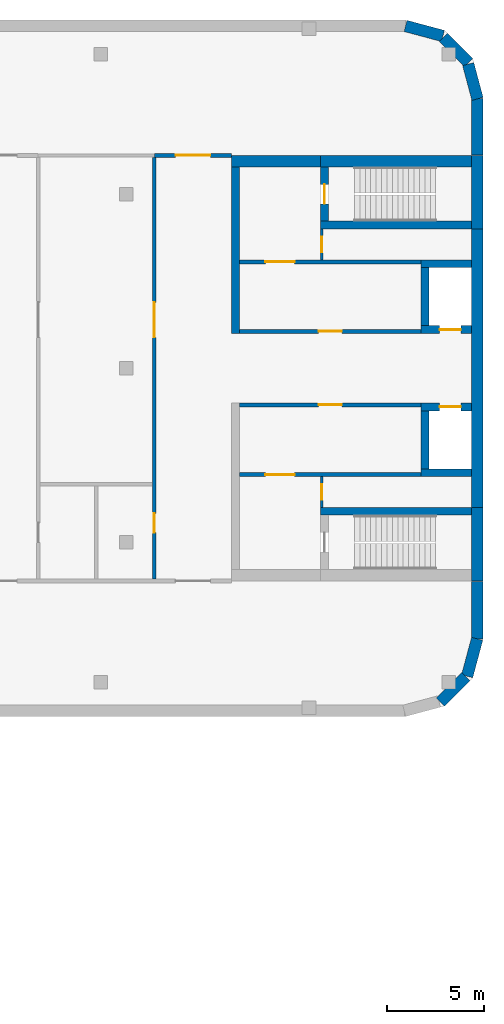
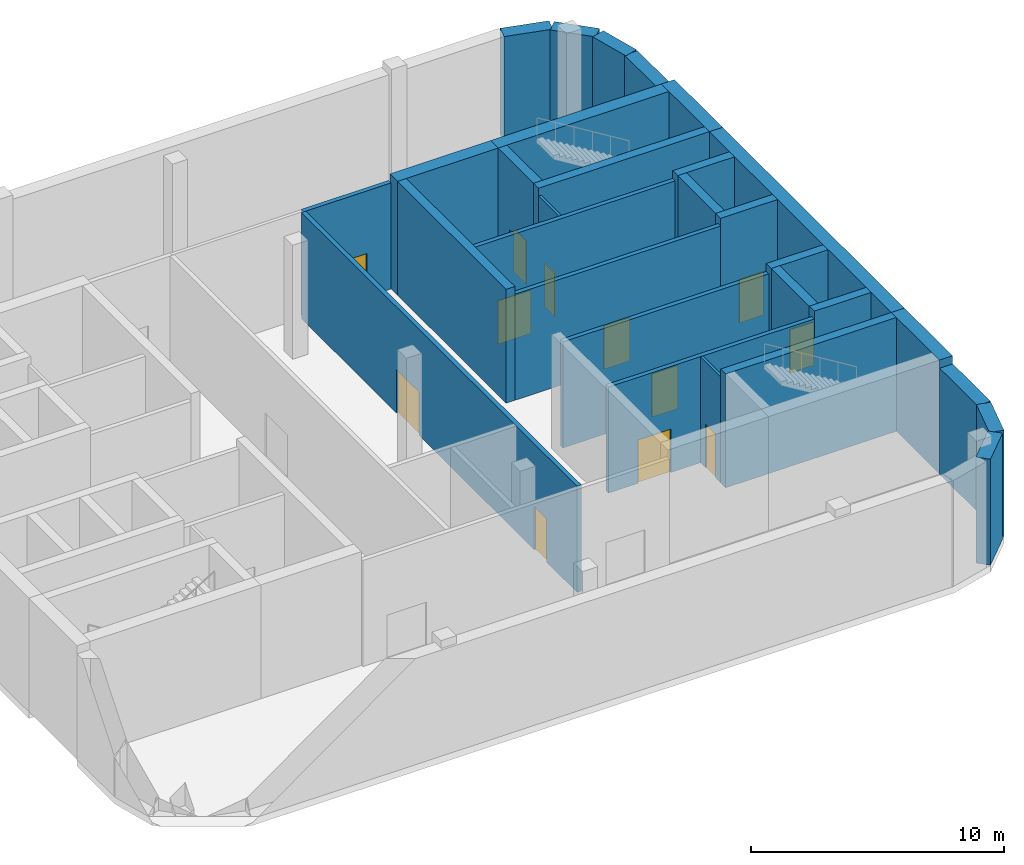
# One storey, part 14 of 19: 30 walls, 12 doors, 12 openings.
"""IFC4 building model written with IfcOpenShell, lengths in metres."""

from ifc_helpers import new_model, si_unit, direction, frame, frame_2d, origin, place, context, subcontext, project, spatial, rectangle, extrude, material, layer, layer_set, type_object, element, fill, save


model = new_model("IFC4")

# Units and contexts
model_context = context("Model", 3, precision=1e-05, world=origin(), true_north=direction((0.0, 1.0)))
body_context = subcontext(model_context, "Body", "Model", "MODEL_VIEW")
ifc_project = project(units=[si_unit("LENGTHUNIT", "METRE"), si_unit("AREAUNIT", "SQUARE_METRE"), si_unit("VOLUMEUNIT", "CUBIC_METRE"), si_unit("PLANEANGLEUNIT", "RADIAN"), si_unit("MASSUNIT", "GRAM", prefix="KILO")], contexts=[model_context])

# Site, building, storey
site_placement = place(None, origin())
site = spatial("IfcSite", under=ifc_project, at=site_placement, CompositionType="ELEMENT")
building_placement = place(site_placement, origin())
building = spatial("IfcBuilding", under=site, at=building_placement, Name="Skarvind Civic Tower", CompositionType="ELEMENT")
storey_placement = place(building_placement, frame((0.0, 0.0, 75.5)))
storey = spatial("IfcBuildingStorey", under=building, at=storey_placement, Name="L17", CompositionType="ELEMENT", Elevation=75.5)

# Wall, opening, door
ifc_material_1 = material(Name="Fire-rated masonry partition", Category="masonry")
ifc_layer_1 = layer(ifc_material_1, 0.199951171875)
ifc_layer_set_1 = layer_set([ifc_layer_1], Name="Core enclosure wall 200")
wall_type_1 = type_object("IfcWallType", Name="Core enclosure wall 200", PredefinedType="PARTITIONING", material=ifc_layer_set_1)
wall_1_placement = place(storey_placement, frame((163.800048828125, 126.10009765625, 0.0), z_axis=(0.0, 0.0, 1.0), x_axis=(-1.0, 0.0, 0.0)))
wall_1 = element("IfcWall", 1, at=wall_1_placement, inside=storey, type_object=wall_type_1, Name="Core wall CB", PredefinedType="PARTITIONING", context=body_context, shape_type="SweptSolid", body=[
    extrude(rectangle(XDim=9.400146484375, YDim=0.199951171875, at=frame_2d((4.7001953125, 0.0))), origin(), (0.0, 0.0, 1.0), 5.125),
])
opening_1_placement = place(wall_1_placement, frame((4.10009765625, 0.0, 0.0)))
opening_1 = element("IfcOpeningElement", 2, at=opening_1_placement, cuts=wall_1, Name="Opening D-L17-CB-03", PredefinedType="OPENING", context=body_context, shape_type="SweptSolid", body=[
    extrude(rectangle(XDim=1.199951171875, YDim=2.10009765625, at=frame_2d((0.60009765625, 1.050048828125))), frame((0.0, 0.10986328125, 0.0), z_axis=(0.0, -1.0, 0.0), x_axis=(1.0, 0.0, 0.0)), (0.0, 0.0, 1.0), 0.219970703125),
])
ifc_material_2 = material(Name="Fire-rated steel door", Category="steel")
door_type_1 = type_object("IfcDoorType", Name="Core lobby door 1200", OperationType="NOTDEFINED", PredefinedType="DOOR", material=ifc_material_2)
door_1_placement = place(opening_1_placement, origin())
door_1 = element("IfcDoor", 3, at=door_1_placement, inside=storey, type_object=door_type_1, Name="Fire door", OperationType="DOUBLE_DOOR_SINGLE_SWING", OverallHeight=2.10009765625, OverallWidth=1.199951171875, PredefinedType="DOOR", context=body_context, shape_type="SweptSolid", body=[
    extrude(rectangle(XDim=1.199951171875, YDim=2.10009765625, at=frame_2d((0.60009765625, 1.050048828125))), frame((0.0, 0.02490234375, 0.0), z_axis=(0.0, -1.0, 0.0), x_axis=(1.0, 0.0, 0.0)), (0.0, 0.0, 1.0), 0.050048828125),
])
fill(opening_1, door_1)

wall_2_placement = place(storey_placement, frame((163.800048828125, 122.5, 0.0), z_axis=(0.0, 0.0, 1.0), x_axis=(-1.0, 0.0, 0.0)))
wall_2 = element("IfcWall", 4, at=wall_2_placement, inside=storey, type_object=wall_type_1, Name="Core wall CB", PredefinedType="PARTITIONING", context=body_context, shape_type="SweptSolid", body=[
    extrude(rectangle(XDim=9.400146484375, YDim=0.199951171875, at=frame_2d((4.7001953125, 0.0))), origin(), (0.0, 0.0, 1.0), 5.125),
])
opening_2_placement = place(wall_2_placement, frame((6.550048828125, 0.0, 0.0)))
opening_2 = element("IfcOpeningElement", 5, at=opening_2_placement, cuts=wall_2, Name="Opening D-L17-CB-04", PredefinedType="OPENING", context=body_context, shape_type="SweptSolid", body=[
    extrude(rectangle(XDim=1.5, YDim=2.10009765625, at=frame_2d((0.75, 1.050048828125))), frame((0.0, 0.10986328125, 0.0), z_axis=(0.0, -1.0, 0.0), x_axis=(1.0, 0.0, 0.0)), (0.0, 0.0, 1.0), 0.219970703125),
])
door_type_2 = type_object("IfcDoorType", Name="Fire door 1500", OperationType="NOTDEFINED", PredefinedType="DOOR", material=ifc_material_2)
door_2_placement = place(opening_2_placement, origin())
door_2 = element("IfcDoor", 6, at=door_2_placement, inside=storey, type_object=door_type_2, Name="Fire door", OperationType="DOUBLE_DOOR_SINGLE_SWING", OverallHeight=2.10009765625, OverallWidth=1.5, PredefinedType="DOOR", context=body_context, shape_type="SweptSolid", body=[
    extrude(rectangle(XDim=1.5, YDim=2.10009765625, at=frame_2d((0.75, 1.050048828125))), frame((0.0, 0.02490234375, 0.0), z_axis=(0.0, -1.0, 0.0), x_axis=(1.0, 0.0, 0.0)), (0.0, 0.0, 1.0), 0.050048828125),
])
fill(opening_2, door_2)

wall_3_placement = place(storey_placement, frame((154.39990234375, 129.89990234375, 0.0), z_axis=(0.0, 0.0, 1.0), x_axis=(1.0, 0.0, 0.0)))
wall_3 = element("IfcWall", 7, at=wall_3_placement, inside=storey, type_object=wall_type_1, Name="Core wall CB", PredefinedType="PARTITIONING", context=body_context, shape_type="SweptSolid", body=[
    extrude(rectangle(XDim=9.400146484375, YDim=0.199951171875, at=frame_2d((4.7001953125, 0.0))), origin(), (0.0, 0.0, 1.0), 5.125),
])
opening_3_placement = place(wall_3_placement, frame((4.10009765625, 0.0, 0.0)))
opening_3 = element("IfcOpeningElement", 8, at=opening_3_placement, cuts=wall_3, Name="Opening D-L17-CB-07", PredefinedType="OPENING", context=body_context, shape_type="SweptSolid", body=[
    extrude(rectangle(XDim=1.199951171875, YDim=2.10009765625, at=frame_2d((0.60009765625, 1.050048828125))), frame((0.0, 0.10986328125, 0.0), z_axis=(0.0, -1.0, 0.0), x_axis=(1.0, 0.0, 0.0)), (0.0, 0.0, 1.0), 0.219970703125),
])
door_3_placement = place(opening_3_placement, origin())
door_3 = element("IfcDoor", 9, at=door_3_placement, inside=storey, type_object=door_type_1, Name="Fire door", OperationType="DOUBLE_DOOR_SINGLE_SWING", OverallHeight=2.10009765625, OverallWidth=1.199951171875, PredefinedType="DOOR", context=body_context, shape_type="SweptSolid", body=[
    extrude(rectangle(XDim=1.199951171875, YDim=2.10009765625, at=frame_2d((0.60009765625, 1.050048828125))), frame((0.0, 0.02490234375, 0.0), z_axis=(0.0, -1.0, 0.0), x_axis=(1.0, 0.0, 0.0)), (0.0, 0.0, 1.0), 0.050048828125),
])
fill(opening_3, door_3)

wall_4_placement = place(storey_placement, frame((154.39990234375, 133.5, 0.0), z_axis=(0.0, 0.0, 1.0), x_axis=(1.0, 0.0, 0.0)))
wall_4 = element("IfcWall", 10, at=wall_4_placement, inside=storey, type_object=wall_type_1, Name="Core wall CB", PredefinedType="PARTITIONING", context=body_context, shape_type="SweptSolid", body=[
    extrude(rectangle(XDim=9.400146484375, YDim=0.199951171875, at=frame_2d((4.7001953125, 0.0))), origin(), (0.0, 0.0, 1.0), 5.125),
])
opening_4_placement = place(wall_4_placement, frame((1.35009765625, 0.0, 0.0)))
opening_4 = element("IfcOpeningElement", 11, at=opening_4_placement, cuts=wall_4, Name="Opening D-L17-CB-08", PredefinedType="OPENING", context=body_context, shape_type="SweptSolid", body=[
    extrude(rectangle(XDim=1.5, YDim=2.10009765625, at=frame_2d((0.75, 1.050048828125))), frame((0.0, 0.10986328125, 0.0), z_axis=(0.0, -1.0, 0.0), x_axis=(1.0, 0.0, 0.0)), (0.0, 0.0, 1.0), 0.219970703125),
])
door_4_placement = place(opening_4_placement, origin())
door_4 = element("IfcDoor", 12, at=door_4_placement, inside=storey, type_object=door_type_2, Name="Fire door", OperationType="DOUBLE_DOOR_SINGLE_SWING", OverallHeight=2.10009765625, OverallWidth=1.5, PredefinedType="DOOR", context=body_context, shape_type="SweptSolid", body=[
    extrude(rectangle(XDim=1.5, YDim=2.10009765625, at=frame_2d((0.75, 1.050048828125))), frame((0.0, 0.02490234375, 0.0), z_axis=(0.0, -1.0, 0.0), x_axis=(1.0, 0.0, 0.0)), (0.0, 0.0, 1.0), 0.050048828125),
])
fill(opening_4, door_4)

# Wall
ifc_material_3 = material(Name="Concrete C80", Category="concrete")
ifc_layer_2 = layer(ifc_material_3, 0.39990234375)
ifc_layer_set_2 = layer_set([ifc_layer_2], Name="Core wall 400 C80")
wall_type_2 = type_object("IfcWallType", Name="Core wall 400 C80", PredefinedType="SHEAR", material=ifc_layer_set_2)
wall_5_placement = place(storey_placement, frame((166.39990234375, 135.39990234375, 0.0), z_axis=(0.0, 0.0, 1.0), x_axis=(-1.0, 0.0, 0.0)))
element("IfcWall", 13, at=wall_5_placement, inside=storey, type_object=wall_type_2, Name="Core wall CB south stair inner L17", PredefinedType="SHEAR", context=body_context, shape_type="SweptSolid", body=[
    extrude(rectangle(XDim=7.7998046875, YDim=0.39990234375, at=frame_2d((3.89990234375, 0.0))), origin(), (0.0, 0.0, 1.0), 5.5),
])

# Wall, opening, door
wall_6_placement = place(storey_placement, frame((158.800048828125, 138.39990234375, 0.0), z_axis=(0.0, 0.0, 1.0), x_axis=(0.0, -1.0, 0.0)))
wall_6 = element("IfcWall", 14, at=wall_6_placement, inside=storey, type_object=wall_type_2, Name="Core wall CB south stair end L17", PredefinedType="SHEAR", context=body_context, shape_type="SweptSolid", body=[
    extrude(rectangle(XDim=2.7998046875, YDim=0.39990234375, at=frame_2d((1.39990234375, 0.0))), origin(), (0.0, 0.0, 1.0), 5.5),
])
opening_5_placement = place(wall_6_placement, frame((0.89990234375, 0.0, 0.0)))
opening_5 = element("IfcOpeningElement", 15, at=opening_5_placement, cuts=wall_6, Name="Opening D-L17-CB-09", PredefinedType="OPENING", context=body_context, shape_type="SweptSolid", body=[
    extrude(rectangle(XDim=1.0, YDim=2.10009765625, at=frame_2d((0.5, 1.050048828125))), frame((0.0, 0.2099609375, 0.0), z_axis=(0.0, -1.0, 0.0), x_axis=(1.0, 0.0, 0.0)), (0.0, 0.0, 1.0), 0.419921875),
])
door_type_3 = type_object("IfcDoorType", Name="Fire door 1000", OperationType="NOTDEFINED", PredefinedType="DOOR", material=ifc_material_2)
door_5_placement = place(opening_5_placement, origin())
door_5 = element("IfcDoor", 16, at=door_5_placement, inside=storey, type_object=door_type_3, Name="Fire door", OperationType="SINGLE_SWING_RIGHT", OverallHeight=2.10009765625, OverallWidth=1.0, PredefinedType="DOOR", context=body_context, shape_type="SweptSolid", body=[
    extrude(rectangle(XDim=1.0, YDim=2.10009765625, at=frame_2d((0.5, 1.050048828125))), frame((0.0, 0.02490234375, 0.0), z_axis=(0.0, -1.0, 0.0), x_axis=(1.0, 0.0, 0.0)), (0.0, 0.0, 1.0), 0.050048828125),
])
fill(opening_5, door_5)

# Wall
wall_7_placement = place(storey_placement, frame((166.39990234375, 120.60009765625, 0.0), z_axis=(0.0, 0.0, 1.0), x_axis=(-1.0, 0.0, 0.0)))
element("IfcWall", 17, at=wall_7_placement, inside=storey, type_object=wall_type_2, Name="Core wall CB north stair inner L17", PredefinedType="SHEAR", context=body_context, shape_type="SweptSolid", body=[
    extrude(rectangle(XDim=7.7998046875, YDim=0.39990234375, at=frame_2d((3.89990234375, 0.0))), origin(), (0.0, 0.0, 1.0), 5.5),
])

# Wall, opening, door
wall_8_placement = place(storey_placement, frame((166.39990234375, 130.0, 0.0), z_axis=(0.0, 0.0, 1.0), x_axis=(-1.0, 0.0, 0.0)))
wall_8 = element("IfcWall", 18, at=wall_8_placement, inside=storey, type_object=wall_type_2, Name="Core wall CB south lift row front L17", PredefinedType="SHEAR", context=body_context, shape_type="SweptSolid", body=[
    extrude(rectangle(XDim=2.599853515625, YDim=0.39990234375, at=frame_2d((1.2998046875, 0.0))), origin(), (0.0, 0.0, 1.0), 5.5),
])
opening_6_placement = place(wall_8_placement, frame((0.550048828125, 0.0, 0.0)))
opening_6 = element("IfcOpeningElement", 19, at=opening_6_placement, cuts=wall_8, Name="Opening LD19402", PredefinedType="OPENING", context=body_context, shape_type="SweptSolid", body=[
    extrude(rectangle(XDim=1.10009765625, YDim=2.10009765625, at=frame_2d((0.550048828125, 1.050048828125))), frame((0.0, 0.2099609375, 0.0), z_axis=(0.0, -1.0, 0.0), x_axis=(1.0, 0.0, 0.0)), (0.0, 0.0, 1.0), 0.419921875),
])
ifc_material_4 = material(Name="Stainless steel landing door", Category="steel")
door_type_4 = type_object("IfcDoorType", Name="Lift landing door 1100", OperationType="DOUBLE_DOOR_SLIDING", PredefinedType="DOOR", material=ifc_material_4)
door_6_placement = place(opening_6_placement, origin())
door_6 = element("IfcDoor", 20, at=door_6_placement, inside=storey, type_object=door_type_4, Name="Lift landing door", OperationType="DOUBLE_DOOR_SLIDING", OverallHeight=2.10009765625, OverallWidth=1.10009765625, PredefinedType="DOOR", context=body_context, shape_type="SweptSolid", body=[
    extrude(rectangle(XDim=1.10009765625, YDim=2.10009765625, at=frame_2d((0.550048828125, 1.050048828125))), frame((0.0, 0.02490234375, 0.0), z_axis=(0.0, -1.0, 0.0), x_axis=(1.0, 0.0, 0.0)), (0.0, 0.0, 1.0), 0.050048828125),
])
fill(opening_6, door_6)

# Walls
wall_9_placement = place(storey_placement, frame((166.39990234375, 133.39990234375, 0.0), z_axis=(0.0, 0.0, 1.0), x_axis=(-1.0, 0.0, 0.0)))
element("IfcWall", 21, at=wall_9_placement, inside=storey, type_object=wall_type_2, Name="Core wall CB south lift row back L17", PredefinedType="SHEAR", context=body_context, shape_type="SweptSolid", body=[
    extrude(rectangle(XDim=2.599853515625, YDim=0.39990234375, at=frame_2d((1.2998046875, 0.0))), origin(), (0.0, 0.0, 1.0), 5.5),
])
wall_10_placement = place(storey_placement, frame((164.0, 133.199951171875, 0.0), z_axis=(0.0, 0.0, 1.0), x_axis=(0.0, -1.0, 0.0)))
element("IfcWall", 22, at=wall_10_placement, inside=storey, type_object=wall_type_2, Name="Core wall CB south lift row division 1 L17", PredefinedType="SHEAR", context=body_context, shape_type="SweptSolid", body=[
    extrude(rectangle(XDim=3.0, YDim=0.39990234375, at=frame_2d((1.5, 0.0))), origin(), (0.0, 0.0, 1.0), 5.5),
])

# Wall, opening, door
wall_11_placement = place(storey_placement, frame((166.39990234375, 126.0, 0.0), z_axis=(0.0, 0.0, 1.0), x_axis=(-1.0, 0.0, 0.0)))
wall_11 = element("IfcWall", 23, at=wall_11_placement, inside=storey, type_object=wall_type_2, Name="Core wall CB north lift row front L17", PredefinedType="SHEAR", context=body_context, shape_type="SweptSolid", body=[
    extrude(rectangle(XDim=2.599853515625, YDim=0.39990234375, at=frame_2d((1.2998046875, 0.0))), origin(), (0.0, 0.0, 1.0), 5.5),
])
opening_7_placement = place(wall_11_placement, frame((0.550048828125, 0.0, 0.0)))
opening_7 = element("IfcOpeningElement", 24, at=opening_7_placement, cuts=wall_11, Name="Opening LD19401", PredefinedType="OPENING", context=body_context, shape_type="SweptSolid", body=[
    extrude(rectangle(XDim=1.10009765625, YDim=2.10009765625, at=frame_2d((0.550048828125, 1.050048828125))), frame((0.0, 0.2099609375, 0.0), z_axis=(0.0, -1.0, 0.0), x_axis=(1.0, 0.0, 0.0)), (0.0, 0.0, 1.0), 0.419921875),
])
door_7_placement = place(opening_7_placement, origin())
door_7 = element("IfcDoor", 25, at=door_7_placement, inside=storey, type_object=door_type_4, Name="Lift landing door", OperationType="DOUBLE_DOOR_SLIDING", OverallHeight=2.10009765625, OverallWidth=1.10009765625, PredefinedType="DOOR", context=body_context, shape_type="SweptSolid", body=[
    extrude(rectangle(XDim=1.10009765625, YDim=2.10009765625, at=frame_2d((0.550048828125, 1.050048828125))), frame((0.0, 0.02490234375, 0.0), z_axis=(0.0, -1.0, 0.0), x_axis=(1.0, 0.0, 0.0)), (0.0, 0.0, 1.0), 0.050048828125),
])
fill(opening_7, door_7)

# Walls
wall_12_placement = place(storey_placement, frame((166.39990234375, 122.60009765625, 0.0), z_axis=(0.0, 0.0, 1.0), x_axis=(-1.0, 0.0, 0.0)))
element("IfcWall", 26, at=wall_12_placement, inside=storey, type_object=wall_type_2, Name="Core wall CB north lift row back L17", PredefinedType="SHEAR", context=body_context, shape_type="SweptSolid", body=[
    extrude(rectangle(XDim=2.599853515625, YDim=0.39990234375, at=frame_2d((1.2998046875, 0.0))), origin(), (0.0, 0.0, 1.0), 5.5),
])
wall_13_placement = place(storey_placement, frame((164.0, 125.800048828125, 0.0), z_axis=(0.0, 0.0, 1.0), x_axis=(0.0, -1.0, 0.0)))
element("IfcWall", 27, at=wall_13_placement, inside=storey, type_object=wall_type_2, Name="Core wall CB north lift row division 1 L17", PredefinedType="SHEAR", context=body_context, shape_type="SweptSolid", body=[
    extrude(rectangle(XDim=3.0, YDim=0.39990234375, at=frame_2d((1.5, 0.0))), origin(), (0.0, 0.0, 1.0), 5.5),
])
wall_14_placement = place(storey_placement, frame((154.199951171875, 138.39990234375, 0.0), z_axis=(0.0, 0.0, 1.0), x_axis=(0.0, -1.0, 0.0)))
element("IfcWall", 28, at=wall_14_placement, inside=storey, type_object=wall_type_2, Name="Core wall CB south inner face L17", PredefinedType="SHEAR", context=body_context, shape_type="SweptSolid", body=[
    extrude(rectangle(XDim=8.599853515625, YDim=0.39990234375, at=frame_2d((4.2998046875, 0.0))), origin(), (0.0, 0.0, 1.0), 5.5),
])
ifc_layer_3 = layer(ifc_material_3, 0.60009765625)
ifc_layer_set_3 = layer_set([ifc_layer_3], Name="Core wall 600 C80")
wall_type_3 = type_object("IfcWallType", Name="Core wall 600 C80", PredefinedType="SHEAR", material=ifc_layer_set_3)
wall_15_placement = place(storey_placement, frame((166.699951171875, 139.0, 0.0), z_axis=(0.0, 0.0, 1.0), x_axis=(0.0, -1.0, 0.0)))
element("IfcWall", 29, at=wall_15_placement, inside=storey, type_object=wall_type_3, Name="Core wall CB tip at the south stair L17", PredefinedType="SHEAR", context=body_context, shape_type="SweptSolid", body=[
    extrude(rectangle(XDim=3.800048828125, YDim=0.60009765625, at=frame_2d((1.89990234375, 0.0))), origin(), (0.0, 0.0, 1.0), 5.5),
])
wall_16_placement = place(storey_placement, frame((166.699951171875, 135.199951171875, 0.0), z_axis=(0.0, 0.0, 1.0), x_axis=(0.0, -1.0, 0.0)))
element("IfcWall", 30, at=wall_16_placement, inside=storey, type_object=wall_type_3, Name="Core wall CB tip between the stairs L17", PredefinedType="SHEAR", context=body_context, shape_type="SweptSolid", body=[
    extrude(rectangle(XDim=14.39990234375, YDim=0.60009765625, at=frame_2d((7.199951171875, 0.0))), origin(), (0.0, 0.0, 1.0), 5.5),
])
wall_17_placement = place(storey_placement, frame((166.699951171875, 120.800048828125, 0.0), z_axis=(0.0, 0.0, 1.0), x_axis=(0.0, -1.0, 0.0)))
element("IfcWall", 31, at=wall_17_placement, inside=storey, type_object=wall_type_3, Name="Core wall CB tip at the north stair L17", PredefinedType="SHEAR", context=body_context, shape_type="SweptSolid", body=[
    extrude(rectangle(XDim=3.800048828125, YDim=0.60009765625, at=frame_2d((1.89990234375, 0.0))), origin(), (0.0, 0.0, 1.0), 5.5),
])
wall_18_placement = place(storey_placement, frame((166.39990234375, 138.699951171875, 0.0), z_axis=(0.0, 0.0, 1.0), x_axis=(-1.0, 0.0, 0.0)))
element("IfcWall", 32, at=wall_18_placement, inside=storey, type_object=wall_type_3, Name="Core wall CB south side at the stair L17", PredefinedType="SHEAR", context=body_context, shape_type="SweptSolid", body=[
    extrude(rectangle(XDim=7.7998046875, YDim=0.60009765625, at=frame_2d((3.89990234375, 0.0))), origin(), (0.0, 0.0, 1.0), 5.5),
])
wall_19_placement = place(storey_placement, frame((158.60009765625, 138.699951171875, 0.0), z_axis=(0.0, 0.0, 1.0), x_axis=(-1.0, 0.0, 0.0)))
element("IfcWall", 33, at=wall_19_placement, inside=storey, type_object=wall_type_3, Name="Core wall CB south side L17", PredefinedType="SHEAR", context=body_context, shape_type="SweptSolid", body=[
    extrude(rectangle(XDim=4.60009765625, YDim=0.60009765625, at=frame_2d((2.300048828125, 0.0))), origin(), (0.0, 0.0, 1.0), 5.5),
])

# Wall, openings, doors
ifc_material_5 = material(Name="Fire-rated blockwork wall, plastered", Category="masonry")
ifc_layer_4 = layer(ifc_material_5, 0.199951171875)
ifc_layer_set_4 = layer_set([ifc_layer_4], Name="FIRE WALL 200 EI 60")
wall_type_4 = type_object("IfcWallType", Name="FIRE WALL 200 EI 60", PredefinedType="PARTITIONING", material=ifc_layer_set_4)
wall_20_placement = place(storey_placement, frame((150.0, 117.10009765625, 0.0), z_axis=(0.0, 0.0, 1.0), x_axis=(0.0, 1.0, 0.0)))
wall_20 = element("IfcWall", 34, at=wall_20_placement, inside=storey, type_object=wall_type_4, Name="Amenity partition L17 007", PredefinedType="PARTITIONING", context=body_context, shape_type="SweptSolid", body=[
    extrude(rectangle(XDim=21.7998046875, YDim=0.199951171875, at=frame_2d((10.89990234375, 0.0))), origin(), (0.0, 0.0, 1.0), 5.125),
])
opening_8_placement = place(wall_20_placement, frame((2.402099609375, 0.0, 0.0)))
opening_8 = element("IfcOpeningElement", 35, at=opening_8_placement, cuts=wall_20, Name="Opening L17-D305", PredefinedType="OPENING", context=body_context, shape_type="SweptSolid", body=[
    extrude(rectangle(XDim=1.0, YDim=2.10009765625, at=frame_2d((0.5, 1.050048828125))), frame((0.0, 0.10986328125, 0.0), z_axis=(0.0, -1.0, 0.0), x_axis=(1.0, 0.0, 0.0)), (0.0, 0.0, 1.0), 0.219970703125),
])
opening_9_placement = place(wall_20_placement, frame((12.498046875, 0.0, 0.0)))
opening_9 = element("IfcOpeningElement", 36, at=opening_9_placement, cuts=wall_20, Name="Opening L17-D306", PredefinedType="OPENING", context=body_context, shape_type="SweptSolid", body=[
    extrude(rectangle(XDim=1.800048828125, YDim=2.10009765625, at=frame_2d((0.89990234375, 1.050048828125))), frame((0.0, 0.10986328125, 0.0), z_axis=(0.0, -1.0, 0.0), x_axis=(1.0, 0.0, 0.0)), (0.0, 0.0, 1.0), 0.219970703125),
])
ifc_material_6 = material(Name="Painted steel fire door leaf", Category="steel")
door_type_5 = type_object("IfcDoorType", Name="FIRE DOOR 1000X2100 STEEL", OperationType="NOTDEFINED", PredefinedType="DOOR", material=ifc_material_6)
door_8_placement = place(opening_8_placement, origin())
door_8 = element("IfcDoor", 37, at=door_8_placement, inside=storey, type_object=door_type_5, Name="FIRE DOOR", OperationType="SINGLE_SWING_RIGHT", OverallHeight=2.10009765625, OverallWidth=1.0, PredefinedType="DOOR", context=body_context, shape_type="SweptSolid", body=[
    extrude(rectangle(XDim=1.0, YDim=2.10009765625, at=frame_2d((0.5, 1.050048828125))), frame((0.0, 0.02490234375, 0.0), z_axis=(0.0, -1.0, 0.0), x_axis=(1.0, 0.0, 0.0)), (0.0, 0.0, 1.0), 0.050048828125),
])
fill(opening_8, door_8)
door_type_6 = type_object("IfcDoorType", Name="FIRE DOOR 1800X2100 DOUBLE STEEL", OperationType="NOTDEFINED", PredefinedType="DOOR", material=ifc_material_6)
door_9_placement = place(opening_9_placement, origin())
door_9 = element("IfcDoor", 38, at=door_9_placement, inside=storey, type_object=door_type_6, Name="FIRE DOOR", OperationType="DOUBLE_DOOR_SINGLE_SWING", OverallHeight=2.10009765625, OverallWidth=1.800048828125, PredefinedType="DOOR", context=body_context, shape_type="SweptSolid", body=[
    extrude(rectangle(XDim=1.800048828125, YDim=2.10009765625, at=frame_2d((0.89990234375, 1.050048828125))), frame((0.0, 0.02490234375, 0.0), z_axis=(0.0, -1.0, 0.0), x_axis=(1.0, 0.0, 0.0)), (0.0, 0.0, 1.0), 0.050048828125),
])
fill(opening_9, door_9)

# Wall, opening, door
wall_21_placement = place(storey_placement, frame((150.0, 139.0, 0.0), z_axis=(0.0, 0.0, 1.0), x_axis=(1.0, 0.0, 0.0)))
wall_21 = element("IfcWall", 39, at=wall_21_placement, inside=storey, type_object=wall_type_4, Name="Amenity partition L17 008", PredefinedType="PARTITIONING", context=body_context, shape_type="SweptSolid", body=[
    extrude(rectangle(XDim=4.0, YDim=0.199951171875, at=frame_2d((2.0, 0.0))), origin(), (0.0, 0.0, 1.0), 5.125),
])
opening_10_placement = place(wall_21_placement, frame((1.10009765625, 0.0, 0.0)))
opening_10 = element("IfcOpeningElement", 40, at=opening_10_placement, cuts=wall_21, Name="Opening L17-D308", PredefinedType="OPENING", context=body_context, shape_type="SweptSolid", body=[
    extrude(rectangle(XDim=1.800048828125, YDim=2.10009765625, at=frame_2d((0.89990234375, 1.050048828125))), frame((0.0, 0.10986328125, 0.0), z_axis=(0.0, -1.0, 0.0), x_axis=(1.0, 0.0, 0.0)), (0.0, 0.0, 1.0), 0.219970703125),
])
door_10_placement = place(opening_10_placement, origin())
door_10 = element("IfcDoor", 41, at=door_10_placement, inside=storey, type_object=door_type_6, Name="FIRE DOOR", OperationType="DOUBLE_DOOR_SINGLE_SWING", OverallHeight=2.10009765625, OverallWidth=1.800048828125, PredefinedType="DOOR", context=body_context, shape_type="SweptSolid", body=[
    extrude(rectangle(XDim=1.800048828125, YDim=2.10009765625, at=frame_2d((0.89990234375, 1.050048828125))), frame((0.0, 0.02490234375, 0.0), z_axis=(0.0, -1.0, 0.0), x_axis=(1.0, 0.0, 0.0)), (0.0, 0.0, 1.0), 0.050048828125),
])
fill(opening_10, door_10)

ifc_layer_5 = layer(ifc_material_1, 0.125)
ifc_layer_set_5 = layer_set([ifc_layer_5], Name="Riser wall 125")
wall_type_5 = type_object("IfcWallType", Name="Riser wall 125", PredefinedType="PARTITIONING", material=ifc_layer_set_5)
wall_22_placement = place(storey_placement, frame((158.66259765625, 120.800048828125, 0.0), z_axis=(0.0, 0.0, 1.0), x_axis=(0.0, 1.0, 0.0)))
wall_22 = element("IfcWall", 42, at=wall_22_placement, inside=storey, type_object=wall_type_5, Name="Core wall CB", PredefinedType="PARTITIONING", context=body_context, shape_type="SweptSolid", body=[
    extrude(rectangle(XDim=1.599853515625, YDim=0.125, at=frame_2d((0.7998046875, 0.0))), origin(), (0.0, 0.0, 1.0), 5.125),
])
opening_11_placement = place(wall_22_placement, frame((0.39990234375, 0.0, 0.0)))
opening_11 = element("IfcOpeningElement", 43, at=opening_11_placement, cuts=wall_22, Name="Opening D-L17-CB-06", PredefinedType="OPENING", context=body_context, shape_type="SweptSolid", body=[
    extrude(rectangle(XDim=0.800048828125, YDim=2.10009765625, at=frame_2d((0.39990234375, 1.050048828125))), frame((0.0, 0.072509765625, 0.0), z_axis=(0.0, -1.0, 0.0), x_axis=(1.0, 0.0, 0.0)), (0.0, 0.0, 1.0), 0.14501953125),
])
door_type_7 = type_object("IfcDoorType", Name="Core riser door 800", OperationType="NOTDEFINED", PredefinedType="DOOR", material=ifc_material_2)
door_11_placement = place(opening_11_placement, origin())
door_11 = element("IfcDoor", 44, at=door_11_placement, inside=storey, type_object=door_type_7, Name="Riser door", OperationType="SINGLE_SWING_RIGHT", OverallHeight=2.10009765625, OverallWidth=0.800048828125, PredefinedType="DOOR", context=body_context, shape_type="SweptSolid", body=[
    extrude(rectangle(XDim=0.800048828125, YDim=2.10009765625, at=frame_2d((0.39990234375, 1.050048828125))), frame((0.0, 0.02490234375, 0.0), z_axis=(0.0, -1.0, 0.0), x_axis=(1.0, 0.0, 0.0)), (0.0, 0.0, 1.0), 0.050048828125),
])
fill(opening_11, door_11)

wall_23_placement = place(storey_placement, frame((158.66259765625, 133.60009765625, 0.0), z_axis=(0.0, 0.0, 1.0), x_axis=(0.0, 1.0, 0.0)))
wall_23 = element("IfcWall", 45, at=wall_23_placement, inside=storey, type_object=wall_type_5, Name="Core wall CB", PredefinedType="PARTITIONING", context=body_context, shape_type="SweptSolid", body=[
    extrude(rectangle(XDim=1.599853515625, YDim=0.125, at=frame_2d((0.7998046875, 0.0))), origin(), (0.0, 0.0, 1.0), 5.125),
])
opening_12_placement = place(wall_23_placement, frame((0.39990234375, 0.0, 0.0)))
opening_12 = element("IfcOpeningElement", 46, at=opening_12_placement, cuts=wall_23, Name="Opening D-L17-CB-10", PredefinedType="OPENING", context=body_context, shape_type="SweptSolid", body=[
    extrude(rectangle(XDim=0.800048828125, YDim=2.10009765625, at=frame_2d((0.39990234375, 1.050048828125))), frame((0.0, 0.072509765625, 0.0), z_axis=(0.0, -1.0, 0.0), x_axis=(1.0, 0.0, 0.0)), (0.0, 0.0, 1.0), 0.14501953125),
])
door_12_placement = place(opening_12_placement, origin())
door_12 = element("IfcDoor", 47, at=door_12_placement, inside=storey, type_object=door_type_7, Name="Riser door", OperationType="SINGLE_SWING_LEFT", OverallHeight=2.10009765625, OverallWidth=0.800048828125, PredefinedType="DOOR", context=body_context, shape_type="SweptSolid", body=[
    extrude(rectangle(XDim=0.800048828125, YDim=2.10009765625, at=frame_2d((0.39990234375, 1.050048828125))), frame((0.0, 0.02490234375, 0.0), z_axis=(0.0, -1.0, 0.0), x_axis=(1.0, 0.0, 0.0)), (0.0, 0.0, 1.0), 0.050048828125),
])
fill(opening_12, door_12)

# Walls
ifc_material_7 = material(Name="Limestone masonry cladding on insulated backing", Category="masonry")
ifc_layer_6 = layer(ifc_material_7, 0.60009765625)
ifc_layer_set_6 = layer_set([ifc_layer_6], Name="WX1 STONE FACADE WALL 600")
wall_type_6 = type_object("IfcWallType", Name="WX1 STONE FACADE WALL 600", PredefinedType="SOLIDWALL", material=ifc_layer_set_6)
wall_24_placement = place(storey_placement, frame((166.103515625, 112.063720703125, 0.0), z_axis=(0.0, 0.0, 1.0), x_axis=(-0.707106781187, -0.707106781187, 0.0)))
element("IfcWall", 48, at=wall_24_placement, inside=storey, type_object=wall_type_6, Name="STONE FACADE WALL", PredefinedType="SOLIDWALL", context=body_context, shape_type="SweptSolid", body=[
    extrude(rectangle(XDim=1.860595703125, YDim=0.60009765625, at=frame_2d((0.93017578125, 0.0))), origin(), (0.0, 0.0, 1.0), 5.125),
])
wall_25_placement = place(storey_placement, frame((166.692138671875, 114.010009765625, 0.0), z_axis=(0.0, 0.0, 1.0), x_axis=(-0.258839784042, -0.965920269068, 0.0)))
element("IfcWall", 49, at=wall_25_placement, inside=storey, type_object=wall_type_6, Name="STONE FACADE WALL", PredefinedType="SOLIDWALL", context=body_context, shape_type="SweptSolid", body=[
    extrude(rectangle(XDim=2.00048828125, YDim=0.60009765625, at=frame_2d((1.000244140625, 0.0))), origin(), (0.0, 0.0, 1.0), 5.125),
])
wall_26_placement = place(storey_placement, frame((166.699951171875, 116.97998046875, 0.0), z_axis=(0.0, 0.0, 1.0), x_axis=(0.0, -1.0, 0.0)))
element("IfcWall", 50, at=wall_26_placement, inside=storey, type_object=wall_type_6, Name="STONE FACADE WALL", PredefinedType="SOLIDWALL", context=body_context, shape_type="SweptSolid", body=[
    extrude(rectangle(XDim=2.97998046875, YDim=0.60009765625, at=frame_2d((1.489990234375, 0.0))), origin(), (0.0, 0.0, 1.0), 5.125),
])
wall_27_placement = place(storey_placement, frame((166.699951171875, 141.929931640625, 0.0), z_axis=(0.0, 0.0, 1.0), x_axis=(0.0, -1.0, 0.0)))
element("IfcWall", 51, at=wall_27_placement, inside=storey, type_object=wall_type_6, Name="STONE FACADE WALL", PredefinedType="SOLIDWALL", context=body_context, shape_type="SweptSolid", body=[
    extrude(rectangle(XDim=2.909912109375, YDim=0.60009765625, at=frame_2d((1.455078125, 0.0))), origin(), (0.0, 0.0, 1.0), 5.125),
])
for number, where, z_axis, x_axis, name in (
    (52, (166.228759765625, 143.719482421875, 0.0), (0.0, 0.0, 1.0), (0.258773254036, -0.965938094805, 0.0), "STONE FACADE WALL"),
    (53, (164.936279296875, 145.103515625, 0.0), (0.0, 0.0, 1.0), (0.707106781187, -0.707106781187, 0.0), "STONE FACADE WALL"),
):
    element("IfcWall", number, at=place(storey_placement, frame(where, z_axis=z_axis, x_axis=x_axis)), inside=storey, type_object=wall_type_6, Name=name, PredefinedType="SOLIDWALL", context=body_context, shape_type="SweptSolid", body=[
        extrude(rectangle(XDim=1.860595703125, YDim=0.60009765625, at=frame_2d((0.93017578125, 0.0))), origin(), (0.0, 0.0, 1.0), 5.125),
    ])
wall_28_placement = place(storey_placement, frame((162.989990234375, 145.692138671875, 0.0), z_axis=(0.0, 0.0, 1.0), x_axis=(0.965920269068, -0.258839784042, 0.0)))
element("IfcWall", 54, at=wall_28_placement, inside=storey, type_object=wall_type_6, Name="STONE FACADE WALL", PredefinedType="SOLIDWALL", context=body_context, shape_type="SweptSolid", body=[
    extrude(rectangle(XDim=2.00048828125, YDim=0.60009765625, at=frame_2d((1.000244140625, 0.0))), origin(), (0.0, 0.0, 1.0), 5.125),
])

save(model, "model.ifc")
